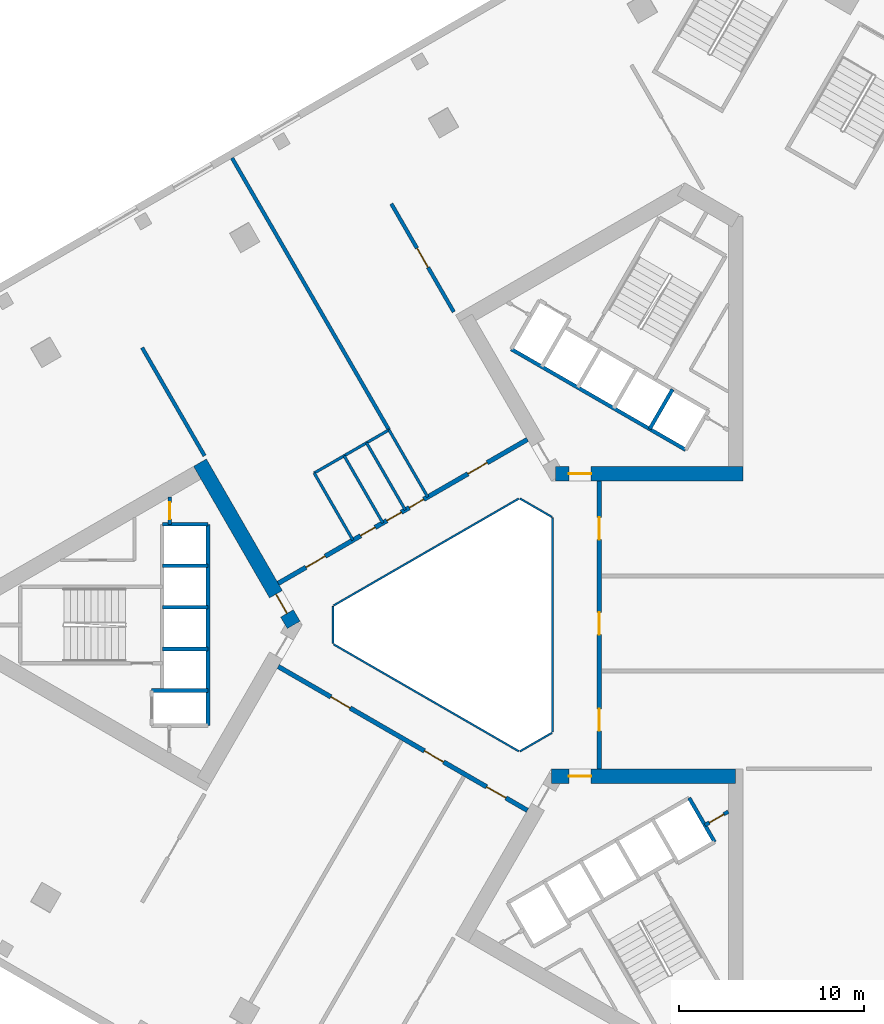
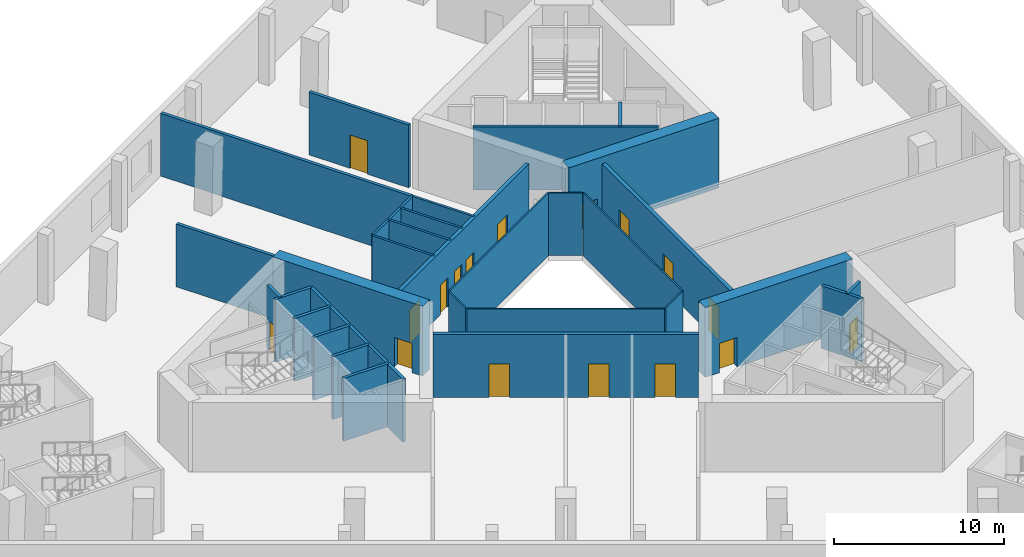
# One storey, part 12 of 36: 31 walls, 17 doors, 17 openings.
"""IFC4 building model written with IfcOpenShell, lengths in metres."""

from ifc_helpers import new_model, si_unit, direction, frame, frame_2d, origin, place, context, subcontext, project, spatial, rectangle, extrude, material, layer, layer_set, type_object, element, fill, save


model = new_model("IFC4")

# Units and contexts
model_context = context("Model", 3, precision=1e-05, world=origin(), true_north=direction((0.0, 1.0)))
body_context = subcontext(model_context, "Body", "Model", "MODEL_VIEW")
ifc_project = project(units=[si_unit("LENGTHUNIT", "METRE"), si_unit("AREAUNIT", "SQUARE_METRE"), si_unit("VOLUMEUNIT", "CUBIC_METRE"), si_unit("PLANEANGLEUNIT", "RADIAN"), si_unit("MASSUNIT", "GRAM", prefix="KILO")], contexts=[model_context])

# Site, building, storey
site_placement = place(None, origin())
site = spatial("IfcSite", under=ifc_project, at=site_placement, CompositionType="ELEMENT")
building_placement = place(site_placement, origin())
building = spatial("IfcBuilding", under=site, at=building_placement, Name="Jabali Bay Hotel Tower and Convention Centre", CompositionType="ELEMENT")
storey_placement = place(building_placement, frame((0.0, 0.0, 20.39990234375)))
storey = spatial("IfcBuildingStorey", under=building, at=storey_placement, Name="L03", CompositionType="ELEMENT", Elevation=20.39990234375)

# Walls
ifc_material_1 = material(Name="Fire-resistant glazing", Category="glass")
ifc_layer_1 = layer(ifc_material_1, 0.10009765625)
ifc_layer_set_1 = layer_set([ifc_layer_1], Name="Fire-resistant glazing")
wall_type_1 = type_object("IfcWallType", Name="Atrium glazed screen 100", PredefinedType="PARTITIONING", material=ifc_layer_set_1)
wall_1_placement = place(storey_placement, frame((79.56005859375, 74.205810546875, 0.0), z_axis=(0.0, 0.0, 1.0), x_axis=(0.0, 1.0, 0.0)))
element("IfcWall", 1, at=wall_1_placement, inside=storey, type_object=wall_type_1, Name="Atrium screen 1 L03", PredefinedType="PARTITIONING", context=body_context, shape_type="SweptSolid", body=[
    extrude(rectangle(XDim=11.58837890625, YDim=0.10009765625, at=frame_2d((5.794189453125, 0.0))), origin(), (0.0, 0.0, 1.0), 4.5),
])
wall_2_placement = place(storey_placement, frame((79.530029296875, 85.84619140625, 0.0), z_axis=(0.0, 0.0, 1.0), x_axis=(-0.866041268327, 0.499972520799, 0.0)))
element("IfcWall", 2, at=wall_2_placement, inside=storey, type_object=wall_type_1, Name="Atrium screen 2 L03", PredefinedType="PARTITIONING", context=body_context, shape_type="SweptSolid", body=[
    extrude(rectangle(XDim=2.0, YDim=0.10009765625, at=frame_2d((1.0, 0.0))), origin(), (0.0, 0.0, 1.0), 4.5),
])
wall_3_placement = place(storey_placement, frame((77.738037109375, 86.84619140625, 0.0), z_axis=(0.0, 0.0, 1.0), x_axis=(-0.866026658274, -0.499997827154, 0.0)))
element("IfcWall", 3, at=wall_3_placement, inside=storey, type_object=wall_type_1, Name="Atrium screen 3 L03", PredefinedType="PARTITIONING", context=body_context, shape_type="SweptSolid", body=[
    extrude(rectangle(XDim=11.58837890625, YDim=0.10009765625, at=frame_2d((5.794189453125, 0.0))), origin(), (0.0, 0.0, 1.0), 4.5),
])
wall_4_placement = place(storey_placement, frame((67.672119140625, 81.0, 0.0), z_axis=(0.0, 0.0, 1.0), x_axis=(0.0, -1.0, 0.0)))
element("IfcWall", 4, at=wall_4_placement, inside=storey, type_object=wall_type_1, Name="Atrium screen 4 L03", PredefinedType="PARTITIONING", context=body_context, shape_type="SweptSolid", body=[
    extrude(rectangle(XDim=2.0, YDim=0.10009765625, at=frame_2d((1.0, 0.0))), origin(), (0.0, 0.0, 1.0), 4.5),
])
wall_5_placement = place(storey_placement, frame((67.7021484375, 78.947998046875, 0.0), z_axis=(0.0, 0.0, 1.0), x_axis=(0.866026658274, -0.499997827154, 0.0)))
element("IfcWall", 5, at=wall_5_placement, inside=storey, type_object=wall_type_1, Name="Atrium screen 5 L03", PredefinedType="PARTITIONING", context=body_context, shape_type="SweptSolid", body=[
    extrude(rectangle(XDim=11.58837890625, YDim=0.10009765625, at=frame_2d((5.794189453125, 0.0))), origin(), (0.0, 0.0, 1.0), 4.5),
])
wall_6_placement = place(storey_placement, frame((77.7978515625, 73.15380859375, 0.0), z_axis=(0.0, 0.0, 1.0), x_axis=(0.866041268327, 0.499972520799, 0.0)))
element("IfcWall", 6, at=wall_6_placement, inside=storey, type_object=wall_type_1, Name="Atrium screen 6 L03", PredefinedType="PARTITIONING", context=body_context, shape_type="SweptSolid", body=[
    extrude(rectangle(XDim=2.0, YDim=0.10009765625, at=frame_2d((1.0, 0.0))), origin(), (0.0, 0.0, 1.0), 4.5),
])

# Wall, opening, door
ifc_material_2 = material(Name="Concrete C40", Category="concrete")
ifc_layer_2 = layer(ifc_material_2, 0.199951171875)
ifc_layer_set_2 = layer_set([ifc_layer_2], Name="Concrete C40")
wall_type_2 = type_object("IfcWallType", Name="Core partition wall 200", PredefinedType="PARTITIONING", material=ifc_layer_set_2)
wall_7_placement = place(storey_placement, frame((58.820068359375, 86.916748046875, 0.0), z_axis=(0.0, 0.0, 1.0), x_axis=(0.0, -1.0, 0.0)))
wall_7 = element("IfcWall", 7, at=wall_7_placement, inside=storey, type_object=wall_type_2, Name="Core wall 0.11 L03", PredefinedType="PARTITIONING", context=body_context, shape_type="SweptSolid", body=[
    extrude(rectangle(XDim=1.466796875, YDim=0.199951171875, at=frame_2d((0.7333984375, 0.0))), origin(), (0.0, 0.0, 1.0), 4.5),
])
opening_1_placement = place(wall_7_placement, frame((0.283447265625, 0.0, 0.0)))
opening_1 = element("IfcOpeningElement", 8, at=opening_1_placement, cuts=wall_7, Name="Opening D165", PredefinedType="OPENING", context=body_context, shape_type="SweptSolid", body=[
    extrude(rectangle(XDim=0.89990234375, YDim=2.10009765625, at=frame_2d((0.449951171875, 1.050048828125))), frame((0.0, 0.1103515625, 0.0), z_axis=(0.0, -1.0, 0.0), x_axis=(1.0, 0.0, 0.0)), (0.0, 0.0, 1.0), 0.220947265625),
])
ifc_material_3 = material(Name="Fire-rated steel door", Category="steel")
door_type_1 = type_object("IfcDoorType", Name="Vestibule fire door 900 x 2100", OperationType="NOTDEFINED", PredefinedType="NOTDEFINED", material=ifc_material_3)
door_1_placement = place(opening_1_placement, origin())
door_1 = element("IfcDoor", 9, at=door_1_placement, inside=storey, type_object=door_type_1, Name="Vestibule fire door D165", OperationType="SINGLE_SWING_LEFT", OverallHeight=2.10009765625, OverallWidth=0.89990234375, PredefinedType="NOTDEFINED", context=body_context, shape_type="SweptSolid", body=[
    extrude(rectangle(XDim=0.89990234375, YDim=2.10009765625, at=frame_2d((0.449951171875, 1.050048828125))), frame((0.0, 0.02490234375, 0.0), z_axis=(0.0, -1.0, 0.0), x_axis=(1.0, 0.0, 0.0)), (0.0, 0.0, 1.0), 0.050048828125),
])
fill(opening_1, door_1)

wall_8_placement = place(storey_placement, frame((87.814697265625, 69.154296875, 0.0), z_axis=(0.0, 0.0, 1.0), x_axis=(0.866054810376, 0.49994906283, 0.0)))
wall_8 = element("IfcWall", 10, at=wall_8_placement, inside=storey, type_object=wall_type_2, Name="Core wall 2.12 L03", PredefinedType="PARTITIONING", context=body_context, shape_type="SweptSolid", body=[
    extrude(rectangle(XDim=1.461181640625, YDim=0.199951171875, at=frame_2d((0.73046875, 0.0))), origin(), (0.0, 0.0, 1.0), 4.5),
])
opening_2_placement = place(wall_8_placement, frame((0.280517578125, 0.0, 0.0)))
opening_2 = element("IfcOpeningElement", 11, at=opening_2_placement, cuts=wall_8, Name="Opening D176", PredefinedType="OPENING", context=body_context, shape_type="SweptSolid", body=[
    extrude(rectangle(XDim=0.89990234375, YDim=2.10009765625, at=frame_2d((0.449951171875, 1.050048828125))), frame((0.0, 0.1103515625, 0.0), z_axis=(0.0, -1.0, 0.0), x_axis=(1.0, 0.0, 0.0)), (0.0, 0.0, 1.0), 0.220947265625),
])
door_2_placement = place(opening_2_placement, origin())
door_2 = element("IfcDoor", 12, at=door_2_placement, inside=storey, type_object=door_type_1, Name="Vestibule fire door D176", OperationType="SINGLE_SWING_LEFT", OverallHeight=2.10009765625, OverallWidth=0.89990234375, PredefinedType="NOTDEFINED", context=body_context, shape_type="SweptSolid", body=[
    extrude(rectangle(XDim=0.89990234375, YDim=2.10009765625, at=frame_2d((0.449951171875, 1.050048828125))), frame((0.0, 0.02490234375, 0.0), z_axis=(0.0, -1.0, 0.0), x_axis=(1.0, 0.0, 0.0)), (0.0, 0.0, 1.0), 0.050048828125),
])
fill(opening_2, door_2)

# Walls
ifc_layer_3 = layer(ifc_material_2, 0.199951171875)
ifc_layer_set_3 = layer_set([ifc_layer_3], Name="Concrete C40")
wall_type_3 = type_object("IfcWallType", Name="Core stair wall 200", PredefinedType="SOLIDWALL", material=ifc_layer_set_3)
for number, where, z_axis, x_axis, name in (
    (13, (60.89990234375, 85.449951171875, 0.0), (0.0, 0.0, 1.0), (-1.0, 0.0, 0.0), "Core wall 0.0 L03"),
    (14, (60.89990234375, 83.199951171875, 0.0), (0.0, 0.0, 1.0), (-1.0, 0.0, 0.0), "Core wall 0.2 L03"),
    (15, (60.89990234375, 80.949951171875, 0.0), (0.0, 0.0, 1.0), (-1.0, 0.0, 0.0), "Core wall 0.4 L03"),
    (16, (60.89990234375, 78.699951171875, 0.0), (0.0, 0.0, 1.0), (-1.0, 0.0, 0.0), "Core wall 0.6 L03"),
):
    element("IfcWall", number, at=place(storey_placement, frame(where, z_axis=z_axis, x_axis=x_axis)), inside=storey, type_object=wall_type_3, Name=name, PredefinedType="SOLIDWALL", context=body_context, shape_type="SweptSolid", body=[
        extrude(rectangle(XDim=2.47998046875, YDim=0.199951171875, at=frame_2d((1.239990234375, 0.0))), origin(), (0.0, 0.0, 1.0), 4.5),
    ])
wall_9_placement = place(storey_placement, frame((60.89990234375, 76.449951171875, 0.0), z_axis=(0.0, 0.0, 1.0), x_axis=(-1.0, 0.0, 0.0)))
element("IfcWall", 17, at=wall_9_placement, inside=storey, type_object=wall_type_3, Name="Core wall 0.8 L03", PredefinedType="SOLIDWALL", context=body_context, shape_type="SweptSolid", body=[
    extrude(rectangle(XDim=3.0498046875, YDim=0.199951171875, at=frame_2d((1.52490234375, 0.0))), origin(), (0.0, 0.0, 1.0), 4.5),
])
wall_10_placement = place(storey_placement, frame((60.89990234375, 85.449951171875, 0.0), z_axis=(0.0, 0.0, 1.0), x_axis=(0.0, -1.0, 0.0)))
element("IfcWall", 18, at=wall_10_placement, inside=storey, type_object=wall_type_3, Name="Core wall 0.10 L03", PredefinedType="SOLIDWALL", context=body_context, shape_type="SweptSolid", body=[
    extrude(rectangle(XDim=10.89990234375, YDim=0.199951171875, at=frame_2d((5.449951171875, 0.0))), origin(), (0.0, 0.0, 1.0), 4.5),
])
wall_11_placement = place(storey_placement, frame((84.8212890625, 90.61083984375, 0.0), z_axis=(0.0, 0.0, 1.0), x_axis=(0.499961042966, 0.86604789447, 0.0)))
element("IfcWall", 19, at=wall_11_placement, inside=storey, type_object=wall_type_3, Name="Core wall 1.2 L03", PredefinedType="SOLIDWALL", context=body_context, shape_type="SweptSolid", body=[
    extrude(rectangle(XDim=2.480224609375, YDim=0.199951171875, at=frame_2d((1.240234375, 0.0))), origin(), (0.0, 0.0, 1.0), 4.5),
])
wall_12_placement = place(storey_placement, frame((86.769775390625, 89.48583984375, 0.0), z_axis=(0.0, 0.0, 1.0), x_axis=(-0.86601811187, 0.500012629753, 0.0)))
element("IfcWall", 20, at=wall_12_placement, inside=storey, type_object=wall_type_3, Name="Core wall 1.10 L03", PredefinedType="SOLIDWALL", context=body_context, shape_type="SweptSolid", body=[
    extrude(rectangle(XDim=10.900146484375, YDim=0.199951171875, at=frame_2d((5.4501953125, 0.0))), origin(), (0.0, 0.0, 1.0), 4.5),
])
wall_13_placement = place(storey_placement, frame((86.964599609375, 70.62646484375, 0.0), z_axis=(0.0, 0.0, 1.0), x_axis=(0.499996545922, -0.866027397988, 0.0)))
element("IfcWall", 21, at=wall_13_placement, inside=storey, type_object=wall_type_3, Name="Core wall 2.9 L03", PredefinedType="SOLIDWALL", context=body_context, shape_type="SweptSolid", body=[
    extrude(rectangle(XDim=2.75, YDim=0.199951171875, at=frame_2d((1.375, 0.0))), origin(), (0.0, 0.0, 1.0), 4.5),
])

# Wall, opening, door
ifc_material_4 = material(Name="Concrete C60", Category="concrete")
ifc_layer_4 = layer(ifc_material_4, 0.800048828125)
ifc_layer_set_4 = layer_set([ifc_layer_4], Name="Concrete C60")
wall_type_4 = type_object("IfcWallType", Name="Core wall 800", PredefinedType="SHEAR", material=ifc_layer_set_4)
wall_14_placement = place(storey_placement, frame((65.5380859375, 80.0, 0.0), z_axis=(0.0, 0.0, 1.0), x_axis=(-0.49999662545, 0.866027352073, 0.0)))
wall_14 = element("IfcWall", 22, at=wall_14_placement, inside=storey, type_object=wall_type_4, Name="Core wall 1.1 L03", PredefinedType="SHEAR", context=body_context, shape_type="SweptSolid", body=[
    extrude(rectangle(XDim=10.14892578125, YDim=0.800048828125, at=frame_2d((5.074462890625, 0.0))), origin(), (0.0, 0.0, 1.0), 5.0),
])
opening_3_placement = place(wall_14_placement, frame((0.718994140625, 0.0, 0.0)))
opening_3 = element("IfcOpeningElement", 23, at=opening_3_placement, cuts=wall_14, Name="Opening D162", PredefinedType="OPENING", context=body_context, shape_type="SweptSolid", body=[
    extrude(rectangle(XDim=1.199951171875, YDim=2.10009765625, at=frame_2d((0.60009765625, 1.050048828125))), frame((0.0, 0.41064453125, 0.0), z_axis=(0.0, -1.0, 0.0), x_axis=(1.0, 0.0, 0.0)), (0.0, 0.0, 1.0), 0.821044921875),
])
door_type_2 = type_object("IfcDoorType", Name="Corridor end fire door 1200 x 2100", OperationType="NOTDEFINED", PredefinedType="NOTDEFINED", material=ifc_material_3)
door_3_placement = place(opening_3_placement, origin())
door_3 = element("IfcDoor", 24, at=door_3_placement, inside=storey, type_object=door_type_2, Name="Corridor end fire door D162", OperationType="SINGLE_SWING_RIGHT", OverallHeight=2.10009765625, OverallWidth=1.199951171875, PredefinedType="NOTDEFINED", context=body_context, shape_type="SweptSolid", body=[
    extrude(rectangle(XDim=1.199951171875, YDim=2.10009765625, at=frame_2d((0.60009765625, 1.050048828125))), frame((0.0, 0.02490234375, 0.0), z_axis=(0.0, -1.0, 0.0), x_axis=(1.0, 0.0, 0.0)), (0.0, 0.0, 1.0), 0.050048828125),
])
fill(opening_3, door_3)

wall_15_placement = place(storey_placement, frame((79.73095703125, 88.1943359375, 0.0), z_axis=(0.0, 0.0, 1.0), x_axis=(1.0, 0.0, 0.0)))
wall_15 = element("IfcWall", 25, at=wall_15_placement, inside=storey, type_object=wall_type_4, Name="Core wall 2.1 L03", PredefinedType="SHEAR", context=body_context, shape_type="SweptSolid", body=[
    extrude(rectangle(XDim=10.14892578125, YDim=0.800048828125, at=frame_2d((5.074462890625, 0.0))), origin(), (0.0, 0.0, 1.0), 5.0),
])
opening_4_placement = place(wall_15_placement, frame((0.718994140625, 0.0, 0.0)))
opening_4 = element("IfcOpeningElement", 26, at=opening_4_placement, cuts=wall_15, Name="Opening D168", PredefinedType="OPENING", context=body_context, shape_type="SweptSolid", body=[
    extrude(rectangle(XDim=1.199951171875, YDim=2.10009765625, at=frame_2d((0.60009765625, 1.050048828125))), frame((0.0, 0.41064453125, 0.0), z_axis=(0.0, -1.0, 0.0), x_axis=(1.0, 0.0, 0.0)), (0.0, 0.0, 1.0), 0.821044921875),
])
door_4_placement = place(opening_4_placement, origin())
door_4 = element("IfcDoor", 27, at=door_4_placement, inside=storey, type_object=door_type_2, Name="Corridor end fire door D168", OperationType="SINGLE_SWING_RIGHT", OverallHeight=2.10009765625, OverallWidth=1.199951171875, PredefinedType="NOTDEFINED", context=body_context, shape_type="SweptSolid", body=[
    extrude(rectangle(XDim=1.199951171875, YDim=2.10009765625, at=frame_2d((0.60009765625, 1.050048828125))), frame((0.0, 0.02490234375, 0.0), z_axis=(0.0, -1.0, 0.0), x_axis=(1.0, 0.0, 0.0)), (0.0, 0.0, 1.0), 0.050048828125),
])
fill(opening_4, door_4)

wall_16_placement = place(storey_placement, frame((89.47998046875, 71.8056640625, 0.0), z_axis=(0.0, 0.0, 1.0), x_axis=(-1.0, 0.0, 0.0)))
wall_16 = element("IfcWall", 28, at=wall_16_placement, inside=storey, type_object=wall_type_4, Name="Core wall 3.5 L03", PredefinedType="SHEAR", context=body_context, shape_type="SweptSolid", body=[
    extrude(rectangle(XDim=9.97998046875, YDim=0.800048828125, at=frame_2d((4.989990234375, 0.0))), origin(), (0.0, 0.0, 1.0), 5.0),
])
opening_5_placement = place(wall_16_placement, frame((7.830078125, 0.0, 0.0)))
opening_5 = element("IfcOpeningElement", 29, at=opening_5_placement, cuts=wall_16, Name="Opening D175", PredefinedType="OPENING", context=body_context, shape_type="SweptSolid", body=[
    extrude(rectangle(XDim=1.199951171875, YDim=2.10009765625, at=frame_2d((0.60009765625, 1.050048828125))), frame((0.0, 0.41064453125, 0.0), z_axis=(0.0, -1.0, 0.0), x_axis=(1.0, 0.0, 0.0)), (0.0, 0.0, 1.0), 0.821044921875),
])
door_5_placement = place(opening_5_placement, origin())
door_5 = element("IfcDoor", 30, at=door_5_placement, inside=storey, type_object=door_type_2, Name="Corridor end fire door D175", OperationType="SINGLE_SWING_LEFT", OverallHeight=2.10009765625, OverallWidth=1.199951171875, PredefinedType="NOTDEFINED", context=body_context, shape_type="SweptSolid", body=[
    extrude(rectangle(XDim=1.199951171875, YDim=2.10009765625, at=frame_2d((0.60009765625, 1.050048828125))), frame((0.0, 0.02490234375, 0.0), z_axis=(0.0, -1.0, 0.0), x_axis=(1.0, 0.0, 0.0)), (0.0, 0.0, 1.0), 0.050048828125),
])
fill(opening_5, door_5)

# Wall, openings, doors
ifc_layer_5 = layer(ifc_material_4, 0.25)
ifc_layer_set_5 = layer_set([ifc_layer_5], Name="Concrete C60")
wall_type_5 = type_object("IfcWallType", Name="Corridor wall 250", PredefinedType="SHEAR", material=ifc_layer_set_5)
wall_17_placement = place(storey_placement, frame((82.10009765625, 72.205810546875, 0.0), z_axis=(0.0, 0.0, 1.0), x_axis=(0.0, 1.0, 0.0)))
wall_17 = element("IfcWall", 31, at=wall_17_placement, inside=storey, type_object=wall_type_5, Name="Corridor wall 1 L03", PredefinedType="SHEAR", context=body_context, shape_type="SweptSolid", body=[
    extrude(rectangle(XDim=15.58837890625, YDim=0.25, at=frame_2d((7.794189453125, 0.0))), origin(), (0.0, 0.0, 1.0), 4.5),
])
opening_6_placement = place(wall_17_placement, frame((2.050048828125, 0.0, 0.0)))
opening_6 = element("IfcOpeningElement", 32, at=opening_6_placement, cuts=wall_17, Name="Opening 0301", PredefinedType="OPENING", context=body_context, shape_type="SweptSolid", body=[
    extrude(rectangle(XDim=1.199951171875, YDim=2.39990234375, at=frame_2d((0.60009765625, 1.199951171875))), frame((0.0, 0.135498046875, 0.0), z_axis=(0.0, -1.0, 0.0), x_axis=(1.0, 0.0, 0.0)), (0.0, 0.0, 1.0), 0.27099609375),
])
opening_7_placement = place(wall_17_placement, frame((7.272216796875, 0.0, 0.0)))
opening_7 = element("IfcOpeningElement", 33, at=opening_7_placement, cuts=wall_17, Name="Opening 0302", PredefinedType="OPENING", context=body_context, shape_type="SweptSolid", body=[
    extrude(rectangle(XDim=1.199951171875, YDim=2.39990234375, at=frame_2d((0.60009765625, 1.199951171875))), frame((0.0, 0.135498046875, 0.0), z_axis=(0.0, -1.0, 0.0), x_axis=(1.0, 0.0, 0.0)), (0.0, 0.0, 1.0), 0.27099609375),
])
opening_8_placement = place(wall_17_placement, frame((12.41650390625, 0.0, 0.0)))
opening_8 = element("IfcOpeningElement", 34, at=opening_8_placement, cuts=wall_17, Name="Opening 0303", PredefinedType="OPENING", context=body_context, shape_type="SweptSolid", body=[
    extrude(rectangle(XDim=1.199951171875, YDim=2.39990234375, at=frame_2d((0.60009765625, 1.199951171875))), frame((0.0, 0.135498046875, 0.0), z_axis=(0.0, -1.0, 0.0), x_axis=(1.0, 0.0, 0.0)), (0.0, 0.0, 1.0), 0.27099609375),
])
ifc_material_5 = material(Name="Timber", Category="wood")
door_type_3 = type_object("IfcDoorType", Name="Public room door 1200 x 2400", OperationType="NOTDEFINED", PredefinedType="NOTDEFINED", material=ifc_material_5)
door_6_placement = place(opening_6_placement, origin())
door_6 = element("IfcDoor", 35, at=door_6_placement, inside=storey, type_object=door_type_3, Name="Door 0301", OperationType="SINGLE_SWING_LEFT", OverallHeight=2.39990234375, OverallWidth=1.199951171875, PredefinedType="NOTDEFINED", context=body_context, shape_type="SweptSolid", body=[
    extrude(rectangle(XDim=1.199951171875, YDim=2.39990234375, at=frame_2d((0.60009765625, 1.199951171875))), frame((0.0, 0.02490234375, 0.0), z_axis=(0.0, -1.0, 0.0), x_axis=(1.0, 0.0, 0.0)), (0.0, 0.0, 1.0), 0.050048828125),
])
fill(opening_6, door_6)
door_7_placement = place(opening_7_placement, origin())
door_7 = element("IfcDoor", 36, at=door_7_placement, inside=storey, type_object=door_type_3, Name="Door 0302", OperationType="SINGLE_SWING_RIGHT", OverallHeight=2.39990234375, OverallWidth=1.199951171875, PredefinedType="NOTDEFINED", context=body_context, shape_type="SweptSolid", body=[
    extrude(rectangle(XDim=1.199951171875, YDim=2.39990234375, at=frame_2d((0.60009765625, 1.199951171875))), frame((0.0, 0.02490234375, 0.0), z_axis=(0.0, -1.0, 0.0), x_axis=(1.0, 0.0, 0.0)), (0.0, 0.0, 1.0), 0.050048828125),
])
fill(opening_7, door_7)
door_8_placement = place(opening_8_placement, origin())
door_8 = element("IfcDoor", 37, at=door_8_placement, inside=storey, type_object=door_type_3, Name="Door 0303", OperationType="SINGLE_SWING_RIGHT", OverallHeight=2.39990234375, OverallWidth=1.199951171875, PredefinedType="NOTDEFINED", context=body_context, shape_type="SweptSolid", body=[
    extrude(rectangle(XDim=1.199951171875, YDim=2.39990234375, at=frame_2d((0.60009765625, 1.199951171875))), frame((0.0, 0.02490234375, 0.0), z_axis=(0.0, -1.0, 0.0), x_axis=(1.0, 0.0, 0.0)), (0.0, 0.0, 1.0), 0.050048828125),
])
fill(opening_8, door_8)

wall_18_placement = place(storey_placement, frame((78.199951171875, 90.0458984375, 0.0), z_axis=(0.0, 0.0, 1.0), x_axis=(-0.866026492143, -0.499998114903, 0.0)))
wall_18 = element("IfcWall", 38, at=wall_18_placement, inside=storey, type_object=wall_type_5, Name="Corridor wall 2 L03", PredefinedType="SHEAR", context=body_context, shape_type="SweptSolid", body=[
    extrude(rectangle(XDim=15.58837890625, YDim=0.25, at=frame_2d((7.794189453125, 0.0))), origin(), (0.0, 0.0, 1.0), 4.5),
])
opening_9_placement = place(wall_18_placement, frame((2.517578125, 0.0, 0.0)))
opening_9 = element("IfcOpeningElement", 39, at=opening_9_placement, cuts=wall_18, Name="Opening 0304", PredefinedType="OPENING", context=body_context, shape_type="SweptSolid", body=[
    extrude(rectangle(XDim=1.199951171875, YDim=2.39990234375, at=frame_2d((0.60009765625, 1.199951171875))), frame((0.0, 0.135498046875, 0.0), z_axis=(0.0, -1.0, 0.0), x_axis=(1.0, 0.0, 0.0)), (0.0, 0.0, 1.0), 0.27099609375),
])
opening_10_placement = place(wall_18_placement, frame((6.48681640625, 0.0, 0.0)))
opening_10 = element("IfcOpeningElement", 40, at=opening_10_placement, cuts=wall_18, Name="Opening 0305", PredefinedType="OPENING", context=body_context, shape_type="SweptSolid", body=[
    extrude(rectangle(XDim=0.89990234375, YDim=2.10009765625, at=frame_2d((0.449951171875, 1.050048828125))), frame((0.0, 0.135498046875, 0.0), z_axis=(0.0, -1.0, 0.0), x_axis=(1.0, 0.0, 0.0)), (0.0, 0.0, 1.0), 0.27099609375),
])
opening_11_placement = place(wall_18_placement, frame((7.889892578125, 0.0, 0.0)))
opening_11 = element("IfcOpeningElement", 41, at=opening_11_placement, cuts=wall_18, Name="Opening 0306", PredefinedType="OPENING", context=body_context, shape_type="SweptSolid", body=[
    extrude(rectangle(XDim=0.89990234375, YDim=2.10009765625, at=frame_2d((0.449951171875, 1.050048828125))), frame((0.0, 0.135498046875, 0.0), z_axis=(0.0, -1.0, 0.0), x_axis=(1.0, 0.0, 0.0)), (0.0, 0.0, 1.0), 0.27099609375),
])
opening_12_placement = place(wall_18_placement, frame((9.526611328125, 0.0, 0.0)))
opening_12 = element("IfcOpeningElement", 42, at=opening_12_placement, cuts=wall_18, Name="Opening 0307", PredefinedType="OPENING", context=body_context, shape_type="SweptSolid", body=[
    extrude(rectangle(XDim=0.89990234375, YDim=2.10009765625, at=frame_2d((0.449951171875, 1.050048828125))), frame((0.0, 0.135498046875, 0.0), z_axis=(0.0, -1.0, 0.0), x_axis=(1.0, 0.0, 0.0)), (0.0, 0.0, 1.0), 0.27099609375),
])
opening_13_placement = place(wall_18_placement, frame((12.650146484375, 0.0, 0.0)))
opening_13 = element("IfcOpeningElement", 43, at=opening_13_placement, cuts=wall_18, Name="Opening 0308", PredefinedType="OPENING", context=body_context, shape_type="SweptSolid", body=[
    extrude(rectangle(XDim=1.199951171875, YDim=2.39990234375, at=frame_2d((0.60009765625, 1.199951171875))), frame((0.0, 0.135498046875, 0.0), z_axis=(0.0, -1.0, 0.0), x_axis=(1.0, 0.0, 0.0)), (0.0, 0.0, 1.0), 0.27099609375),
])
door_type_4 = type_object("IfcDoorType", Name="Accessible en-suite door 900 x 2100", OperationType="NOTDEFINED", PredefinedType="NOTDEFINED", material=ifc_material_5)
door_9_placement = place(opening_12_placement, origin())
door_9 = element("IfcDoor", 44, at=door_9_placement, inside=storey, type_object=door_type_4, Name="Door 0307", OperationType="SINGLE_SWING_RIGHT", OverallHeight=2.10009765625, OverallWidth=0.89990234375, PredefinedType="NOTDEFINED", context=body_context, shape_type="SweptSolid", body=[
    extrude(rectangle(XDim=0.89990234375, YDim=2.10009765625, at=frame_2d((0.449951171875, 1.050048828125))), frame((0.0, 0.02490234375, 0.0), z_axis=(0.0, -1.0, 0.0), x_axis=(1.0, 0.0, 0.0)), (0.0, 0.0, 1.0), 0.050048828125),
])
fill(opening_12, door_9)
door_type_5 = type_object("IfcDoorType", Name="Internal door 900 x 2100", OperationType="NOTDEFINED", PredefinedType="NOTDEFINED", material=ifc_material_5)
door_10_placement = place(opening_10_placement, origin())
door_10 = element("IfcDoor", 45, at=door_10_placement, inside=storey, type_object=door_type_5, Name="Door 0305", OperationType="SINGLE_SWING_LEFT", OverallHeight=2.10009765625, OverallWidth=0.89990234375, PredefinedType="NOTDEFINED", context=body_context, shape_type="SweptSolid", body=[
    extrude(rectangle(XDim=0.89990234375, YDim=2.10009765625, at=frame_2d((0.449951171875, 1.050048828125))), frame((0.0, 0.02490234375, 0.0), z_axis=(0.0, -1.0, 0.0), x_axis=(1.0, 0.0, 0.0)), (0.0, 0.0, 1.0), 0.050048828125),
])
fill(opening_10, door_10)
door_11_placement = place(opening_11_placement, origin())
door_11 = element("IfcDoor", 46, at=door_11_placement, inside=storey, type_object=door_type_5, Name="Door 0306", OperationType="SINGLE_SWING_RIGHT", OverallHeight=2.10009765625, OverallWidth=0.89990234375, PredefinedType="NOTDEFINED", context=body_context, shape_type="SweptSolid", body=[
    extrude(rectangle(XDim=0.89990234375, YDim=2.10009765625, at=frame_2d((0.449951171875, 1.050048828125))), frame((0.0, 0.02490234375, 0.0), z_axis=(0.0, -1.0, 0.0), x_axis=(1.0, 0.0, 0.0)), (0.0, 0.0, 1.0), 0.050048828125),
])
fill(opening_11, door_11)
door_12_placement = place(opening_9_placement, origin())
door_12 = element("IfcDoor", 47, at=door_12_placement, inside=storey, type_object=door_type_3, Name="Door 0304", OperationType="SINGLE_SWING_LEFT", OverallHeight=2.39990234375, OverallWidth=1.199951171875, PredefinedType="NOTDEFINED", context=body_context, shape_type="SweptSolid", body=[
    extrude(rectangle(XDim=1.199951171875, YDim=2.39990234375, at=frame_2d((0.60009765625, 1.199951171875))), frame((0.0, 0.02490234375, 0.0), z_axis=(0.0, -1.0, 0.0), x_axis=(1.0, 0.0, 0.0)), (0.0, 0.0, 1.0), 0.050048828125),
])
fill(opening_9, door_12)
door_13_placement = place(opening_13_placement, origin())
door_13 = element("IfcDoor", 48, at=door_13_placement, inside=storey, type_object=door_type_3, Name="Door 0308", OperationType="SINGLE_SWING_RIGHT", OverallHeight=2.39990234375, OverallWidth=1.199951171875, PredefinedType="NOTDEFINED", context=body_context, shape_type="SweptSolid", body=[
    extrude(rectangle(XDim=1.199951171875, YDim=2.39990234375, at=frame_2d((0.60009765625, 1.199951171875))), frame((0.0, 0.02490234375, 0.0), z_axis=(0.0, -1.0, 0.0), x_axis=(1.0, 0.0, 0.0)), (0.0, 0.0, 1.0), 0.050048828125),
])
fill(opening_13, door_13)

wall_19_placement = place(storey_placement, frame((64.699951171875, 77.748291015625, 0.0), z_axis=(0.0, 0.0, 1.0), x_axis=(0.866026492143, -0.499998114903, 0.0)))
wall_19 = element("IfcWall", 49, at=wall_19_placement, inside=storey, type_object=wall_type_5, Name="Corridor wall 3 L03", PredefinedType="SHEAR", context=body_context, shape_type="SweptSolid", body=[
    extrude(rectangle(XDim=15.58837890625, YDim=0.25, at=frame_2d((7.794189453125, 0.0))), origin(), (0.0, 0.0, 1.0), 4.5),
])
opening_14_placement = place(wall_19_placement, frame((3.297119140625, 0.0, 0.0)))
opening_14 = element("IfcOpeningElement", 50, at=opening_14_placement, cuts=wall_19, Name="Opening 0309", PredefinedType="OPENING", context=body_context, shape_type="SweptSolid", body=[
    extrude(rectangle(XDim=1.199951171875, YDim=2.39990234375, at=frame_2d((0.60009765625, 1.199951171875))), frame((0.0, 0.135498046875, 0.0), z_axis=(0.0, -1.0, 0.0), x_axis=(1.0, 0.0, 0.0)), (0.0, 0.0, 1.0), 0.27099609375),
])
opening_15_placement = place(wall_19_placement, frame((9.142822265625, 0.0, 0.0)))
opening_15 = element("IfcOpeningElement", 51, at=opening_15_placement, cuts=wall_19, Name="Opening 0310", PredefinedType="OPENING", context=body_context, shape_type="SweptSolid", body=[
    extrude(rectangle(XDim=1.199951171875, YDim=2.39990234375, at=frame_2d((0.60009765625, 1.199951171875))), frame((0.0, 0.135498046875, 0.0), z_axis=(0.0, -1.0, 0.0), x_axis=(1.0, 0.0, 0.0)), (0.0, 0.0, 1.0), 0.27099609375),
])
opening_16_placement = place(wall_19_placement, frame((13.039794921875, 0.0, 0.0)))
opening_16 = element("IfcOpeningElement", 52, at=opening_16_placement, cuts=wall_19, Name="Opening 0311", PredefinedType="OPENING", context=body_context, shape_type="SweptSolid", body=[
    extrude(rectangle(XDim=1.199951171875, YDim=2.39990234375, at=frame_2d((0.60009765625, 1.199951171875))), frame((0.0, 0.135498046875, 0.0), z_axis=(0.0, -1.0, 0.0), x_axis=(1.0, 0.0, 0.0)), (0.0, 0.0, 1.0), 0.27099609375),
])
door_14_placement = place(opening_14_placement, origin())
door_14 = element("IfcDoor", 53, at=door_14_placement, inside=storey, type_object=door_type_3, Name="Door 0309", OperationType="SINGLE_SWING_LEFT", OverallHeight=2.39990234375, OverallWidth=1.199951171875, PredefinedType="NOTDEFINED", context=body_context, shape_type="SweptSolid", body=[
    extrude(rectangle(XDim=1.199951171875, YDim=2.39990234375, at=frame_2d((0.60009765625, 1.199951171875))), frame((0.0, 0.02490234375, 0.0), z_axis=(0.0, -1.0, 0.0), x_axis=(1.0, 0.0, 0.0)), (0.0, 0.0, 1.0), 0.050048828125),
])
fill(opening_14, door_14)
door_15_placement = place(opening_15_placement, origin())
door_15 = element("IfcDoor", 54, at=door_15_placement, inside=storey, type_object=door_type_3, Name="Door 0310", OperationType="SINGLE_SWING_RIGHT", OverallHeight=2.39990234375, OverallWidth=1.199951171875, PredefinedType="NOTDEFINED", context=body_context, shape_type="SweptSolid", body=[
    extrude(rectangle(XDim=1.199951171875, YDim=2.39990234375, at=frame_2d((0.60009765625, 1.199951171875))), frame((0.0, 0.02490234375, 0.0), z_axis=(0.0, -1.0, 0.0), x_axis=(1.0, 0.0, 0.0)), (0.0, 0.0, 1.0), 0.050048828125),
])
fill(opening_15, door_15)
door_16_placement = place(opening_16_placement, origin())
door_16 = element("IfcDoor", 55, at=door_16_placement, inside=storey, type_object=door_type_3, Name="Door 0311", OperationType="SINGLE_SWING_RIGHT", OverallHeight=2.39990234375, OverallWidth=1.199951171875, PredefinedType="NOTDEFINED", context=body_context, shape_type="SweptSolid", body=[
    extrude(rectangle(XDim=1.199951171875, YDim=2.39990234375, at=frame_2d((0.60009765625, 1.199951171875))), frame((0.0, 0.02490234375, 0.0), z_axis=(0.0, -1.0, 0.0), x_axis=(1.0, 0.0, 0.0)), (0.0, 0.0, 1.0), 0.050048828125),
])
fill(opening_16, door_16)

# Walls
ifc_material_6 = material(Name="Plasterboard on steel stud", Category="steel")
ifc_layer_6 = layer(ifc_material_6, 0.14990234375)
ifc_layer_set_6 = layer_set([ifc_layer_6], Name="Plasterboard on steel stud")
wall_type_6 = type_object("IfcWallType", Name="Partition 150 wet", PredefinedType="PARTITIONING", material=ifc_layer_set_6)
for number, where, z_axis, x_axis, name in (
    (56, (70.699951171875, 90.5654296875, 0.0), (0.0, 0.0, 1.0), (0.500027713859, -0.866009402589, 0.0), "Partition P03 L03 004"),
    (57, (69.485107421875, 89.864013671875, 0.0), (0.0, 0.0, 1.0), (0.49998411664, -0.866034573852, 0.0), "Partition P03 L03 007"),
):
    element("IfcWall", number, at=place(storey_placement, frame(where, z_axis=z_axis, x_axis=x_axis)), inside=storey, type_object=wall_type_6, Name=name, PredefinedType="PARTITIONING", context=body_context, shape_type="SweptSolid", body=[
        extrude(rectangle(XDim=4.199951171875, YDim=0.14990234375, at=frame_2d((2.10009765625, 0.0))), origin(), (0.0, 0.0, 1.0), 4.5),
    ])
wall_20_placement = place(storey_placement, frame((68.27001953125, 89.16259765625, 0.0), z_axis=(0.0, 0.0, 1.0), x_axis=(0.500002543286, -0.866023935413, 0.0)))
element("IfcWall", 58, at=wall_20_placement, inside=storey, type_object=wall_type_6, Name="Partition P03 L03 008", PredefinedType="PARTITIONING", context=body_context, shape_type="SweptSolid", body=[
    extrude(rectangle(XDim=4.2001953125, YDim=0.14990234375, at=frame_2d((2.10009765625, 0.0))), origin(), (0.0, 0.0, 1.0), 4.5),
])
wall_21_placement = place(storey_placement, frame((70.700439453125, 90.564697265625, 0.0), z_axis=(0.0, 0.0, 1.0), x_axis=(-0.866017799667, -0.500013170487, 0.0)))
element("IfcWall", 59, at=wall_21_placement, inside=storey, type_object=wall_type_6, Name="Partition P03 L03 009", PredefinedType="PARTITIONING", context=body_context, shape_type="SweptSolid", body=[
    extrude(rectangle(XDim=4.676513671875, YDim=0.14990234375, at=frame_2d((2.33837890625, 0.0))), origin(), (0.0, 0.0, 1.0), 4.5),
])
wall_22_placement = place(storey_placement, frame((66.650390625, 88.226318359375, 0.0), z_axis=(0.0, 0.0, 1.0), x_axis=(0.500016035621, -0.866016145416, 0.0)))
element("IfcWall", 60, at=wall_22_placement, inside=storey, type_object=wall_type_6, Name="Partition P03 L03 010", PredefinedType="PARTITIONING", context=body_context, shape_type="SweptSolid", body=[
    extrude(rectangle(XDim=4.198974609375, YDim=0.14990234375, at=frame_2d((2.099609375, 0.0))), origin(), (0.0, 0.0, 1.0), 4.5),
])
ifc_layer_7 = layer(ifc_material_6, 0.199951171875)
ifc_layer_set_7 = layer_set([ifc_layer_7], Name="Plasterboard on steel stud")
wall_type_7 = type_object("IfcWallType", Name="Partition 200 party", PredefinedType="PARTITIONING", material=ifc_layer_set_7)
wall_23_placement = place(storey_placement, frame((62.200439453125, 105.289306640625, 0.0), z_axis=(0.0, 0.0, 1.0), x_axis=(0.49999717083, -0.8660270372, 0.0)))
element("IfcWall", 61, at=wall_23_placement, inside=storey, type_object=wall_type_7, Name="Partition P01 L03 005", PredefinedType="PARTITIONING", context=body_context, shape_type="SweptSolid", body=[
    extrude(rectangle(XDim=17.0009765625, YDim=0.199951171875, at=frame_2d((8.50048828125, 0.0))), origin(), (0.0, 0.0, 1.0), 4.5),
])

# Wall, opening, door
wall_24_placement = place(storey_placement, frame((74.21044921875, 96.955810546875, 0.0), z_axis=(0.0, 0.0, 1.0), x_axis=(-0.499981745636, 0.86603594269, 0.0)))
wall_24 = element("IfcWall", 62, at=wall_24_placement, inside=storey, type_object=wall_type_7, Name="Partition P01 L03 006", PredefinedType="PARTITIONING", context=body_context, shape_type="SweptSolid", body=[
    extrude(rectangle(XDim=6.764892578125, YDim=0.199951171875, at=frame_2d((3.38232421875, 0.0))), origin(), (0.0, 0.0, 1.0), 4.5),
])
opening_17_placement = place(wall_24_placement, frame((2.781982421875, 0.0, 0.0)))
opening_17 = element("IfcOpeningElement", 63, at=opening_17_placement, cuts=wall_24, Name="Opening 0313", PredefinedType="OPENING", context=body_context, shape_type="SweptSolid", body=[
    extrude(rectangle(XDim=1.199951171875, YDim=2.39990234375, at=frame_2d((0.60009765625, 1.199951171875))), frame((0.0, 0.1103515625, 0.0), z_axis=(0.0, -1.0, 0.0), x_axis=(1.0, 0.0, 0.0)), (0.0, 0.0, 1.0), 0.220947265625),
])
door_17_placement = place(opening_17_placement, origin())
door_17 = element("IfcDoor", 64, at=door_17_placement, inside=storey, type_object=door_type_3, Name="Door 0313", OperationType="SINGLE_SWING_LEFT", OverallHeight=2.39990234375, OverallWidth=1.199951171875, PredefinedType="NOTDEFINED", context=body_context, shape_type="SweptSolid", body=[
    extrude(rectangle(XDim=1.199951171875, YDim=2.39990234375, at=frame_2d((0.60009765625, 1.199951171875))), frame((0.0, 0.02490234375, 0.0), z_axis=(0.0, -1.0, 0.0), x_axis=(1.0, 0.0, 0.0)), (0.0, 0.0, 1.0), 0.050048828125),
])
fill(opening_17, door_17)

# Wall
wall_25_placement = place(storey_placement, frame((57.328125, 95.020263671875, 0.0), z_axis=(0.0, 0.0, 1.0), x_axis=(0.499981745636, -0.86603594269, 0.0)))
element("IfcWall", 65, at=wall_25_placement, inside=storey, type_object=wall_type_7, Name="Partition P01 L03 011", PredefinedType="PARTITIONING", context=body_context, shape_type="SweptSolid", body=[
    extrude(rectangle(XDim=6.764892578125, YDim=0.199951171875, at=frame_2d((3.38232421875, 0.0))), origin(), (0.0, 0.0, 1.0), 4.5),
])

save(model, "model.ifc")
